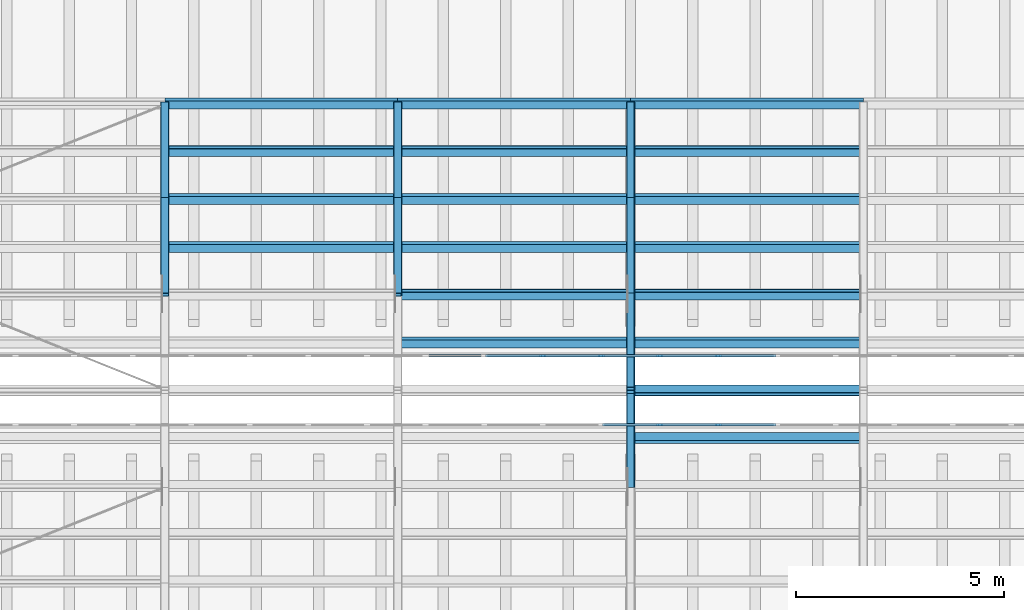
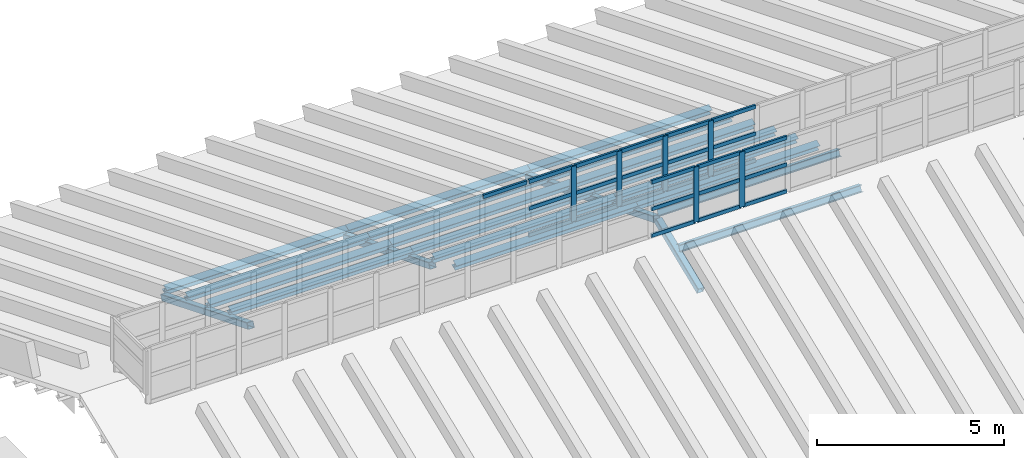
# One storey, part 31 of 105: 57 members, 2 elements without a shape of their own.
"""IFC4 building model written with IfcOpenShell, lengths in metres."""

from ifc_helpers import new_model, si_unit, direction, frame, origin, origin_2d, place, context, subcontext, project, spatial, rectangle, hollow_rectangle, i_section, extrude, material, layer, layer_set, material_profile, profile_set, type_object, element, aggregate, save


model = new_model("IFC4")

# Units and contexts
model_context = context("Model", 3, precision=1e-05, world=origin(), true_north=direction((0.0, 1.0)))
body_context = subcontext(model_context, "Body", "Model", "MODEL_VIEW")
ifc_project = project(units=[si_unit("LENGTHUNIT", "METRE"), si_unit("AREAUNIT", "SQUARE_METRE"), si_unit("VOLUMEUNIT", "CUBIC_METRE"), si_unit("PLANEANGLEUNIT", "RADIAN"), si_unit("MASSUNIT", "GRAM", prefix="KILO")], contexts=[model_context])

# Site, building, storey
site_placement = place(None, origin())
site = spatial("IfcSite", under=ifc_project, at=site_placement, CompositionType="ELEMENT")
building_placement = place(site_placement, origin())
building = spatial("IfcBuilding", under=site, at=building_placement, Name="Wasatch Bagh Community Centre", CompositionType="ELEMENT")
storey_placement = place(building_placement, frame((0.0, 0.0, 16.800048828125)))
storey = spatial("IfcBuildingStorey", under=building, at=storey_placement, Name="L04", CompositionType="ELEMENT", Elevation=16.800048828125)

# Members
ifc_material_1 = material(Name="ASTM A500 Grade C steel", Category="steel")
ifc_material_profile_1 = material_profile(ifc_material_1, hollow_rectangle(XDim=0.203125, YDim=0.203125, WallThickness=0.01171875, InnerFilletRadius=0.01171875, OuterFilletRadius=0.023681640625, at=origin_2d()), Name="HSS8x8x1/2")
ifc_profile_set_1 = profile_set([ifc_material_profile_1], Name="ASTM A500 Grade C steel")
member_type_1 = type_object("IfcMemberType", Name="SH HSS8x8x1/2 chord", PredefinedType="CHORD", material=ifc_profile_set_1)
member_1_placement = place(storey_placement, frame((117.800048828125, 54.300537109375, 1.946533203125), z_axis=(0.0, 0.927174106992, -0.374630718605), x_axis=(-1.0, 0.0, 0.0)))
element("IfcMember", 1, at=member_1_placement, inside=storey, type_object=member_type_1, Name="SH.SA2.TC09", PredefinedType="CHORD", context=body_context, shape_type="SweptSolid", body=[
    extrude(hollow_rectangle(XDim=0.203125, YDim=0.203125, WallThickness=0.01171875, InnerFilletRadius=0.01171875, OuterFilletRadius=0.023681640625, at=origin_2d()), origin(), (0.0, 0.0, 1.0), 2.479736328125),
])
member_2_placement = place(storey_placement, frame((117.800048828125, 56.600341796875, 1.017333984375), z_axis=(0.0, 0.927187923428, -0.374596522472), x_axis=(-1.0, 0.0, 0.0)))
element("IfcMember", 2, at=member_2_placement, inside=storey, type_object=member_type_1, Name="SH.SA2.TC10", PredefinedType="CHORD", context=body_context, shape_type="SweptSolid", body=[
    extrude(hollow_rectangle(XDim=0.203125, YDim=0.203125, WallThickness=0.01171875, InnerFilletRadius=0.01171875, OuterFilletRadius=0.023681640625, at=origin_2d()), origin(), (0.0, 0.0, 1.0), 2.47998046875),
])
member_3_placement = place(storey_placement, frame((123.39990234375, 54.300537109375, 1.946533203125), z_axis=(0.0, 0.927174106992, -0.374630718605), x_axis=(-1.0, 0.0, 0.0)))
element("IfcMember", 3, at=member_3_placement, inside=storey, type_object=member_type_1, Name="SH.SA3.TC09", PredefinedType="CHORD", context=body_context, shape_type="SweptSolid", body=[
    extrude(hollow_rectangle(XDim=0.203125, YDim=0.203125, WallThickness=0.01171875, InnerFilletRadius=0.01171875, OuterFilletRadius=0.023681640625, at=origin_2d()), origin(), (0.0, 0.0, 1.0), 2.479736328125),
])
member_4_placement = place(storey_placement, frame((123.39990234375, 56.600341796875, 1.017333984375), z_axis=(0.0, 0.927187923428, -0.374596522472), x_axis=(-1.0, 0.0, 0.0)))
element("IfcMember", 4, at=member_4_placement, inside=storey, type_object=member_type_1, Name="SH.SA3.TC10", PredefinedType="CHORD", context=body_context, shape_type="SweptSolid", body=[
    extrude(hollow_rectangle(XDim=0.203125, YDim=0.203125, WallThickness=0.01171875, InnerFilletRadius=0.01171875, OuterFilletRadius=0.023681640625, at=origin_2d()), origin(), (0.0, 0.0, 1.0), 2.47998046875),
])
for number, where, z_axis, x_axis, name in (
    (5, (129.0, 49.70068359375, 1.947021484375), (0.0, 0.926063881505, 0.377366780961), (-1.0, 0.0, 0.0), "SH.SA4.TC07"),
    (6, (129.0, 52.038818359375, 2.8681640625), (0.0, 0.926063881505, -0.377366780961), (-1.0, 0.0, 0.0), "SH.SA4.TC08"),
):
    element("IfcMember", number, at=place(storey_placement, frame(where, z_axis=z_axis, x_axis=x_axis)), inside=storey, type_object=member_type_1, Name=name, PredefinedType="CHORD", context=body_context, shape_type="SweptSolid", body=[
        extrude(hollow_rectangle(XDim=0.203125, YDim=0.203125, WallThickness=0.01171875, InnerFilletRadius=0.01171875, OuterFilletRadius=0.023681640625, at=origin_2d()), origin(), (0.0, 0.0, 1.0), 2.44091796875),
    ])
member_5_placement = place(storey_placement, frame((129.0, 54.300537109375, 1.946533203125), z_axis=(0.0, 0.927174106992, -0.374630718605), x_axis=(-1.0, 0.0, 0.0)))
element("IfcMember", 7, at=member_5_placement, inside=storey, type_object=member_type_1, Name="SH.SA4.TC09", PredefinedType="CHORD", context=body_context, shape_type="SweptSolid", body=[
    extrude(hollow_rectangle(XDim=0.203125, YDim=0.203125, WallThickness=0.01171875, InnerFilletRadius=0.01171875, OuterFilletRadius=0.023681640625, at=origin_2d()), origin(), (0.0, 0.0, 1.0), 2.479736328125),
])
member_6_placement = place(storey_placement, frame((129.0, 56.600341796875, 1.017333984375), z_axis=(0.0, 0.927187923428, -0.374596522472), x_axis=(-1.0, 0.0, 0.0)))
element("IfcMember", 8, at=member_6_placement, inside=storey, type_object=member_type_1, Name="SH.SA4.TC10", PredefinedType="CHORD", context=body_context, shape_type="SweptSolid", body=[
    extrude(hollow_rectangle(XDim=0.203125, YDim=0.203125, WallThickness=0.01171875, InnerFilletRadius=0.01171875, OuterFilletRadius=0.023681640625, at=origin_2d()), origin(), (0.0, 0.0, 1.0), 2.47998046875),
])
ifc_material_2 = material(Name="ASTM A992 Grade 50 steel", Category="steel")
ifc_material_profile_2 = material_profile(ifc_material_2, i_section(OverallWidth=0.203125, OverallDepth=0.203125, WebThickness=0.00732421875, FlangeThickness=0.010986328125, at=origin_2d()), Name="W8x31")
ifc_profile_set_2 = profile_set([ifc_material_profile_2], Name="ASTM A992 Grade 50 steel")
member_type_2 = type_object("IfcMemberType", Name="SH W8x31 purlin", PredefinedType="PURLIN", material=ifc_profile_set_2)
for number, where, z_axis, x_axis, name in (
    (9, (117.800048828125, 55.449951171875, 1.701171875), (1.0, 0.0, 0.0), (0.0, 0.927183854567, 0.374606593416), "SH.PUR.b2.PU19"),
    (10, (117.800048828125, 56.60009765625, 1.236572265625), (1.0, 0.0, 0.0), (0.0, 0.927183854567, 0.374606593416), "SH.PUR.b2.PU20"),
    (11, (117.800048828125, 57.75, 0.77197265625), (1.0, 0.0, 0.0), (0.0, 0.927183854567, 0.374606593416), "SH.PUR.b2.PU21"),
    (12, (117.800048828125, 58.89990234375, 0.307373046875), (1.0, 0.0, 0.0), (0.0, 0.927183854567, 0.374606593416), "SH.PUR.b2.PU22"),
):
    element("IfcMember", number, at=place(storey_placement, frame(where, z_axis=z_axis, x_axis=x_axis)), inside=storey, type_object=member_type_2, Name=name, PredefinedType="PURLIN", context=body_context, shape_type="SweptSolid", body=[
        extrude(i_section(OverallWidth=0.203125, OverallDepth=0.203125, WebThickness=0.00732421875, FlangeThickness=0.010986328125, at=origin_2d()), origin(), (0.0, 0.0, 1.0), 5.599853515625),
    ])
for number, where, z_axis, x_axis, name in (
    (13, (123.39990234375, 53.14990234375, 2.63037109375), (1.0, 0.0, 0.0), (0.0, 0.927183854567, 0.374606593416), "SH.PUR.b3.PU17"),
    (14, (123.39990234375, 54.300048828125, 2.165771484375), (1.0, 0.0, 0.0), (0.0, 0.927183854567, 0.374606593416), "SH.PUR.b3.PU18"),
    (15, (123.39990234375, 55.449951171875, 1.701171875), (1.0, 0.0, 0.0), (0.0, 0.927183854567, 0.374606593416), "SH.PUR.b3.PU19"),
    (16, (123.39990234375, 56.60009765625, 1.236572265625), (1.0, 0.0, 0.0), (0.0, 0.927183854567, 0.374606593416), "SH.PUR.b3.PU20"),
    (17, (123.39990234375, 57.75, 0.77197265625), (1.0, 0.0, 0.0), (0.0, 0.927183854567, 0.374606593416), "SH.PUR.b3.PU21"),
    (18, (123.39990234375, 58.89990234375, 0.307373046875), (1.0, 0.0, 0.0), (0.0, 0.927183854567, 0.374606593416), "SH.PUR.b3.PU22"),
    (19, (129.0, 50.85009765625, 2.63037109375), (1.0, 0.0, 0.0), (0.0, 0.927183854567, -0.374606593416), "SH.PUR.b4.PU15"),
    (20, (129.0, 52.0, 3.094970703125), (1.0, 0.0, 0.0), (0.0, 0.927183854567, -0.374606593416), "SH.PUR.b4.PU16"),
    (21, (129.0, 53.14990234375, 2.63037109375), (1.0, 0.0, 0.0), (0.0, 0.927183854567, 0.374606593416), "SH.PUR.b4.PU17"),
    (22, (129.0, 54.300048828125, 2.165771484375), (1.0, 0.0, 0.0), (0.0, 0.927183854567, 0.374606593416), "SH.PUR.b4.PU18"),
    (23, (129.0, 55.449951171875, 1.701171875), (1.0, 0.0, 0.0), (0.0, 0.927183854567, 0.374606593416), "SH.PUR.b4.PU19"),
    (24, (129.0, 56.60009765625, 1.236572265625), (1.0, 0.0, 0.0), (0.0, 0.927183854567, 0.374606593416), "SH.PUR.b4.PU20"),
    (25, (129.0, 57.75, 0.77197265625), (1.0, 0.0, 0.0), (0.0, 0.927183854567, 0.374606593416), "SH.PUR.b4.PU21"),
    (26, (129.0, 58.89990234375, 0.307373046875), (1.0, 0.0, 0.0), (0.0, 0.927183854567, 0.374606593416), "SH.PUR.b4.PU22"),
):
    element("IfcMember", number, at=place(storey_placement, frame(where, z_axis=z_axis, x_axis=x_axis)), inside=storey, type_object=member_type_2, Name=name, PredefinedType="PURLIN", context=body_context, shape_type="SweptSolid", body=[
        extrude(i_section(OverallWidth=0.203125, OverallDepth=0.203125, WebThickness=0.00732421875, FlangeThickness=0.010986328125, at=origin_2d()), origin(), (0.0, 0.0, 1.0), 5.60009765625),
    ])

# Curtain wall, members
ifc_material_3 = material(Name="Aluminium alloy 6063-T6", Category="aluminium")
ifc_layer = layer(ifc_material_3, 0.10009765625)
ifc_layer_set = layer_set([ifc_layer], Name="Aluminium alloy 6063-T6")
curtain_wall_type = type_object("IfcCurtainWallType", Name="SH-CW3", PredefinedType="NOTDEFINED", material=ifc_layer_set)
curtain_wall_1_placement = place(storey_placement, origin())
curtain_wall_1 = element("IfcCurtainWall", 27, at=curtain_wall_1_placement, inside=storey, type_object=curtain_wall_type, Name="Curtain wall SH-CW3", PredefinedType="NOTDEFINED")
ifc_material_profile_3 = material_profile(ifc_material_3, rectangle(XDim=0.06005859375, YDim=0.159912109375, at=origin_2d()), Name="AL 60x160")
ifc_profile_set_3 = profile_set([ifc_material_profile_3], Name="Aluminium alloy 6063-T6")
member_type_3 = type_object("IfcMemberType", Name="SH-CW3 mullion", PredefinedType="MULLION", material=ifc_profile_set_3)
member_7_placement = place(storey_placement, frame((129.704345703125, 51.169921875, 3.052734375), z_axis=(0.0, 0.0, 1.0), x_axis=(0.0, 1.0, 0.0)))
member_7 = element("IfcMember", 28, at=member_7_placement, type_object=member_type_3, Name="SH-CW3 mullion 13", PredefinedType="MULLION", context=body_context, shape_type="SweptSolid", body=[
    extrude(rectangle(XDim=0.06005859375, YDim=0.159912109375, at=origin_2d()), origin(), (0.0, 0.0, 1.0), 1.800048828125),
])
member_8_placement = place(storey_placement, frame((131.113037109375, 51.169921875, 3.052734375), z_axis=(0.0, 0.0, 1.0), x_axis=(0.0, 1.0, 0.0)))
member_8 = element("IfcMember", 29, at=member_8_placement, type_object=member_type_3, Name="SH-CW3 mullion 14", PredefinedType="MULLION", context=body_context, shape_type="SweptSolid", body=[
    extrude(rectangle(XDim=0.06005859375, YDim=0.159912109375, at=origin_2d()), origin(), (0.0, 0.0, 1.0), 1.800048828125),
])

curtain_wall_2_placement = place(storey_placement, origin())
curtain_wall_2 = element("IfcCurtainWall", 30, at=curtain_wall_2_placement, inside=storey, type_object=curtain_wall_type, Name="Curtain wall SH-CW3", PredefinedType="NOTDEFINED")
member_9_placement = place(storey_placement, frame((126.886962890625, 52.830078125, 3.052734375), z_axis=(0.0, 0.0, 1.0), x_axis=(0.0, 1.0, 0.0)))
member_9 = element("IfcMember", 31, at=member_9_placement, type_object=member_type_3, Name="SH-CW3 mullion 11", PredefinedType="MULLION", context=body_context, shape_type="SweptSolid", body=[
    extrude(rectangle(XDim=0.06005859375, YDim=0.159912109375, at=origin_2d()), origin(), (0.0, 0.0, 1.0), 1.800048828125),
])
member_10_placement = place(storey_placement, frame((128.295654296875, 52.830078125, 3.052734375), z_axis=(0.0, 0.0, 1.0), x_axis=(0.0, 1.0, 0.0)))
member_10 = element("IfcMember", 32, at=member_10_placement, type_object=member_type_3, Name="SH-CW3 mullion 12", PredefinedType="MULLION", context=body_context, shape_type="SweptSolid", body=[
    extrude(rectangle(XDim=0.06005859375, YDim=0.159912109375, at=origin_2d()), origin(), (0.0, 0.0, 1.0), 1.800048828125),
])
member_11_placement = place(storey_placement, frame((129.704345703125, 52.830078125, 3.052734375), z_axis=(0.0, 0.0, 1.0), x_axis=(0.0, 1.0, 0.0)))
member_11 = element("IfcMember", 33, at=member_11_placement, type_object=member_type_3, Name="SH-CW3 mullion 13", PredefinedType="MULLION", context=body_context, shape_type="SweptSolid", body=[
    extrude(rectangle(XDim=0.06005859375, YDim=0.159912109375, at=origin_2d()), origin(), (0.0, 0.0, 1.0), 1.800048828125),
])
member_12_placement = place(storey_placement, frame((131.113037109375, 52.830078125, 3.052734375), z_axis=(0.0, 0.0, 1.0), x_axis=(0.0, 1.0, 0.0)))
member_12 = element("IfcMember", 34, at=member_12_placement, type_object=member_type_3, Name="SH-CW3 mullion 14", PredefinedType="MULLION", context=body_context, shape_type="SweptSolid", body=[
    extrude(rectangle(XDim=0.06005859375, YDim=0.159912109375, at=origin_2d()), origin(), (0.0, 0.0, 1.0), 1.800048828125),
])

# Member
ifc_material_profile_4 = material_profile(ifc_material_3, rectangle(XDim=0.06005859375, YDim=0.1201171875, at=origin_2d()), Name="AL 60x120")
ifc_profile_set_4 = profile_set([ifc_material_profile_4], Name="Aluminium alloy 6063-T6")
member_type_4 = type_object("IfcMemberType", Name="SH-CW3 transom", PredefinedType="USERDEFINED", material=ifc_profile_set_4)
member_13_placement = place(storey_placement, frame((128.32568359375, 51.169921875, 3.082763671875), z_axis=(1.0, 0.0, 0.0), x_axis=(0.0, 1.0, 0.0)))
member_13 = element("IfcMember", 35, at=member_13_placement, type_object=member_type_4, Name="SH-CW3 transom 12.1", ObjectType="TRANSOM", PredefinedType="USERDEFINED", context=body_context, shape_type="SweptSolid", body=[
    extrude(rectangle(XDim=0.06005859375, YDim=0.1201171875, at=origin_2d()), origin(), (0.0, 0.0, 1.0), 1.3486328125),
])

member_14_placement = place(storey_placement, frame((128.32568359375, 51.169921875, 3.952880859375), z_axis=(1.0, 0.0, 0.0), x_axis=(0.0, 1.0, 0.0)))
member_14 = element("IfcMember", 36, at=member_14_placement, type_object=member_type_4, Name="SH-CW3 transom 12.2", ObjectType="TRANSOM", PredefinedType="USERDEFINED", context=body_context, shape_type="SweptSolid", body=[
    extrude(rectangle(XDim=0.06005859375, YDim=0.1201171875, at=origin_2d()), origin(), (0.0, 0.0, 1.0), 1.3486328125),
])

member_15_placement = place(storey_placement, frame((128.32568359375, 51.169921875, 4.82275390625), z_axis=(1.0, 0.0, 0.0), x_axis=(0.0, 1.0, 0.0)))
member_15 = element("IfcMember", 37, at=member_15_placement, type_object=member_type_4, Name="SH-CW3 transom 12.3", ObjectType="TRANSOM", PredefinedType="USERDEFINED", context=body_context, shape_type="SweptSolid", body=[
    extrude(rectangle(XDim=0.06005859375, YDim=0.1201171875, at=origin_2d()), origin(), (0.0, 0.0, 1.0), 1.3486328125),
])

member_16_placement = place(storey_placement, frame((129.734375, 51.169921875, 3.082763671875), z_axis=(1.0, 0.0, 0.0), x_axis=(0.0, 1.0, 0.0)))
member_16 = element("IfcMember", 38, at=member_16_placement, type_object=member_type_4, Name="SH-CW3 transom 13.1", ObjectType="TRANSOM", PredefinedType="USERDEFINED", context=body_context, shape_type="SweptSolid", body=[
    extrude(rectangle(XDim=0.06005859375, YDim=0.1201171875, at=origin_2d()), origin(), (0.0, 0.0, 1.0), 1.3486328125),
])

member_17_placement = place(storey_placement, frame((129.734375, 51.169921875, 3.952880859375), z_axis=(1.0, 0.0, 0.0), x_axis=(0.0, 1.0, 0.0)))
member_17 = element("IfcMember", 39, at=member_17_placement, type_object=member_type_4, Name="SH-CW3 transom 13.2", ObjectType="TRANSOM", PredefinedType="USERDEFINED", context=body_context, shape_type="SweptSolid", body=[
    extrude(rectangle(XDim=0.06005859375, YDim=0.1201171875, at=origin_2d()), origin(), (0.0, 0.0, 1.0), 1.3486328125),
])

member_18_placement = place(storey_placement, frame((129.734375, 51.169921875, 4.82275390625), z_axis=(1.0, 0.0, 0.0), x_axis=(0.0, 1.0, 0.0)))
member_18 = element("IfcMember", 40, at=member_18_placement, type_object=member_type_4, Name="SH-CW3 transom 13.3", ObjectType="TRANSOM", PredefinedType="USERDEFINED", context=body_context, shape_type="SweptSolid", body=[
    extrude(rectangle(XDim=0.06005859375, YDim=0.1201171875, at=origin_2d()), origin(), (0.0, 0.0, 1.0), 1.3486328125),
])

member_19_placement = place(storey_placement, frame((131.14306640625, 51.169921875, 3.082763671875), z_axis=(1.0, 0.0, 0.0), x_axis=(0.0, 1.0, 0.0)))
member_19 = element("IfcMember", 41, at=member_19_placement, type_object=member_type_4, Name="SH-CW3 transom 14.1", ObjectType="TRANSOM", PredefinedType="USERDEFINED", context=body_context, shape_type="SweptSolid", body=[
    extrude(rectangle(XDim=0.06005859375, YDim=0.1201171875, at=origin_2d()), origin(), (0.0, 0.0, 1.0), 1.3486328125),
])

member_20_placement = place(storey_placement, frame((131.14306640625, 51.169921875, 3.952880859375), z_axis=(1.0, 0.0, 0.0), x_axis=(0.0, 1.0, 0.0)))
member_20 = element("IfcMember", 42, at=member_20_placement, type_object=member_type_4, Name="SH-CW3 transom 14.2", ObjectType="TRANSOM", PredefinedType="USERDEFINED", context=body_context, shape_type="SweptSolid", body=[
    extrude(rectangle(XDim=0.06005859375, YDim=0.1201171875, at=origin_2d()), origin(), (0.0, 0.0, 1.0), 1.3486328125),
])

member_21_placement = place(storey_placement, frame((131.14306640625, 51.169921875, 4.82275390625), z_axis=(1.0, 0.0, 0.0), x_axis=(0.0, 1.0, 0.0)))
member_21 = element("IfcMember", 43, at=member_21_placement, type_object=member_type_4, Name="SH-CW3 transom 14.3", ObjectType="TRANSOM", PredefinedType="USERDEFINED", context=body_context, shape_type="SweptSolid", body=[
    extrude(rectangle(XDim=0.06005859375, YDim=0.1201171875, at=origin_2d()), origin(), (0.0, 0.0, 1.0), 1.3486328125),
])

aggregate(curtain_wall_1, [member_7, member_8, member_13, member_14, member_15, member_16, member_17, member_18, member_19, member_20, member_21])

member_22_placement = place(storey_placement, frame((124.099609375, 52.830078125, 4.82275390625), z_axis=(1.0, 0.0, 0.0), x_axis=(0.0, 1.0, 0.0)))
member_22 = element("IfcMember", 44, at=member_22_placement, type_object=member_type_4, Name="SH-CW3 transom 9.3", ObjectType="TRANSOM", PredefinedType="USERDEFINED", context=body_context, shape_type="SweptSolid", body=[
    extrude(rectangle(XDim=0.06005859375, YDim=0.1201171875, at=origin_2d()), origin(), (0.0, 0.0, 1.0), 1.3486328125),
])

member_23_placement = place(storey_placement, frame((125.50830078125, 52.830078125, 3.082763671875), z_axis=(1.0, 0.0, 0.0), x_axis=(0.0, 1.0, 0.0)))
member_23 = element("IfcMember", 45, at=member_23_placement, type_object=member_type_4, Name="SH-CW3 transom 10.1", ObjectType="TRANSOM", PredefinedType="USERDEFINED", context=body_context, shape_type="SweptSolid", body=[
    extrude(rectangle(XDim=0.06005859375, YDim=0.1201171875, at=origin_2d()), origin(), (0.0, 0.0, 1.0), 1.3486328125),
])

member_24_placement = place(storey_placement, frame((125.50830078125, 52.830078125, 3.952880859375), z_axis=(1.0, 0.0, 0.0), x_axis=(0.0, 1.0, 0.0)))
member_24 = element("IfcMember", 46, at=member_24_placement, type_object=member_type_4, Name="SH-CW3 transom 10.2", ObjectType="TRANSOM", PredefinedType="USERDEFINED", context=body_context, shape_type="SweptSolid", body=[
    extrude(rectangle(XDim=0.06005859375, YDim=0.1201171875, at=origin_2d()), origin(), (0.0, 0.0, 1.0), 1.3486328125),
])

member_25_placement = place(storey_placement, frame((125.50830078125, 52.830078125, 4.82275390625), z_axis=(1.0, 0.0, 0.0), x_axis=(0.0, 1.0, 0.0)))
member_25 = element("IfcMember", 47, at=member_25_placement, type_object=member_type_4, Name="SH-CW3 transom 10.3", ObjectType="TRANSOM", PredefinedType="USERDEFINED", context=body_context, shape_type="SweptSolid", body=[
    extrude(rectangle(XDim=0.06005859375, YDim=0.1201171875, at=origin_2d()), origin(), (0.0, 0.0, 1.0), 1.3486328125),
])

member_26_placement = place(storey_placement, frame((126.9169921875, 52.830078125, 3.082763671875), z_axis=(1.0, 0.0, 0.0), x_axis=(0.0, 1.0, 0.0)))
member_26 = element("IfcMember", 48, at=member_26_placement, type_object=member_type_4, Name="SH-CW3 transom 11.1", ObjectType="TRANSOM", PredefinedType="USERDEFINED", context=body_context, shape_type="SweptSolid", body=[
    extrude(rectangle(XDim=0.06005859375, YDim=0.1201171875, at=origin_2d()), origin(), (0.0, 0.0, 1.0), 1.3486328125),
])

member_27_placement = place(storey_placement, frame((126.9169921875, 52.830078125, 3.952880859375), z_axis=(1.0, 0.0, 0.0), x_axis=(0.0, 1.0, 0.0)))
member_27 = element("IfcMember", 49, at=member_27_placement, type_object=member_type_4, Name="SH-CW3 transom 11.2", ObjectType="TRANSOM", PredefinedType="USERDEFINED", context=body_context, shape_type="SweptSolid", body=[
    extrude(rectangle(XDim=0.06005859375, YDim=0.1201171875, at=origin_2d()), origin(), (0.0, 0.0, 1.0), 1.3486328125),
])

member_28_placement = place(storey_placement, frame((126.9169921875, 52.830078125, 4.82275390625), z_axis=(1.0, 0.0, 0.0), x_axis=(0.0, 1.0, 0.0)))
member_28 = element("IfcMember", 50, at=member_28_placement, type_object=member_type_4, Name="SH-CW3 transom 11.3", ObjectType="TRANSOM", PredefinedType="USERDEFINED", context=body_context, shape_type="SweptSolid", body=[
    extrude(rectangle(XDim=0.06005859375, YDim=0.1201171875, at=origin_2d()), origin(), (0.0, 0.0, 1.0), 1.3486328125),
])

member_29_placement = place(storey_placement, frame((128.32568359375, 52.830078125, 3.082763671875), z_axis=(1.0, 0.0, 0.0), x_axis=(0.0, 1.0, 0.0)))
member_29 = element("IfcMember", 51, at=member_29_placement, type_object=member_type_4, Name="SH-CW3 transom 12.1", ObjectType="TRANSOM", PredefinedType="USERDEFINED", context=body_context, shape_type="SweptSolid", body=[
    extrude(rectangle(XDim=0.06005859375, YDim=0.1201171875, at=origin_2d()), origin(), (0.0, 0.0, 1.0), 1.3486328125),
])

member_30_placement = place(storey_placement, frame((128.32568359375, 52.830078125, 3.952880859375), z_axis=(1.0, 0.0, 0.0), x_axis=(0.0, 1.0, 0.0)))
member_30 = element("IfcMember", 52, at=member_30_placement, type_object=member_type_4, Name="SH-CW3 transom 12.2", ObjectType="TRANSOM", PredefinedType="USERDEFINED", context=body_context, shape_type="SweptSolid", body=[
    extrude(rectangle(XDim=0.06005859375, YDim=0.1201171875, at=origin_2d()), origin(), (0.0, 0.0, 1.0), 1.3486328125),
])

member_31_placement = place(storey_placement, frame((128.32568359375, 52.830078125, 4.82275390625), z_axis=(1.0, 0.0, 0.0), x_axis=(0.0, 1.0, 0.0)))
member_31 = element("IfcMember", 53, at=member_31_placement, type_object=member_type_4, Name="SH-CW3 transom 12.3", ObjectType="TRANSOM", PredefinedType="USERDEFINED", context=body_context, shape_type="SweptSolid", body=[
    extrude(rectangle(XDim=0.06005859375, YDim=0.1201171875, at=origin_2d()), origin(), (0.0, 0.0, 1.0), 1.3486328125),
])

member_32_placement = place(storey_placement, frame((129.734375, 52.830078125, 3.082763671875), z_axis=(1.0, 0.0, 0.0), x_axis=(0.0, 1.0, 0.0)))
member_32 = element("IfcMember", 54, at=member_32_placement, type_object=member_type_4, Name="SH-CW3 transom 13.1", ObjectType="TRANSOM", PredefinedType="USERDEFINED", context=body_context, shape_type="SweptSolid", body=[
    extrude(rectangle(XDim=0.06005859375, YDim=0.1201171875, at=origin_2d()), origin(), (0.0, 0.0, 1.0), 1.3486328125),
])

member_33_placement = place(storey_placement, frame((129.734375, 52.830078125, 3.952880859375), z_axis=(1.0, 0.0, 0.0), x_axis=(0.0, 1.0, 0.0)))
member_33 = element("IfcMember", 55, at=member_33_placement, type_object=member_type_4, Name="SH-CW3 transom 13.2", ObjectType="TRANSOM", PredefinedType="USERDEFINED", context=body_context, shape_type="SweptSolid", body=[
    extrude(rectangle(XDim=0.06005859375, YDim=0.1201171875, at=origin_2d()), origin(), (0.0, 0.0, 1.0), 1.3486328125),
])

member_34_placement = place(storey_placement, frame((129.734375, 52.830078125, 4.82275390625), z_axis=(1.0, 0.0, 0.0), x_axis=(0.0, 1.0, 0.0)))
member_34 = element("IfcMember", 56, at=member_34_placement, type_object=member_type_4, Name="SH-CW3 transom 13.3", ObjectType="TRANSOM", PredefinedType="USERDEFINED", context=body_context, shape_type="SweptSolid", body=[
    extrude(rectangle(XDim=0.06005859375, YDim=0.1201171875, at=origin_2d()), origin(), (0.0, 0.0, 1.0), 1.3486328125),
])

member_35_placement = place(storey_placement, frame((131.14306640625, 52.830078125, 3.082763671875), z_axis=(1.0, 0.0, 0.0), x_axis=(0.0, 1.0, 0.0)))
member_35 = element("IfcMember", 57, at=member_35_placement, type_object=member_type_4, Name="SH-CW3 transom 14.1", ObjectType="TRANSOM", PredefinedType="USERDEFINED", context=body_context, shape_type="SweptSolid", body=[
    extrude(rectangle(XDim=0.06005859375, YDim=0.1201171875, at=origin_2d()), origin(), (0.0, 0.0, 1.0), 1.3486328125),
])

member_36_placement = place(storey_placement, frame((131.14306640625, 52.830078125, 3.952880859375), z_axis=(1.0, 0.0, 0.0), x_axis=(0.0, 1.0, 0.0)))
member_36 = element("IfcMember", 58, at=member_36_placement, type_object=member_type_4, Name="SH-CW3 transom 14.2", ObjectType="TRANSOM", PredefinedType="USERDEFINED", context=body_context, shape_type="SweptSolid", body=[
    extrude(rectangle(XDim=0.06005859375, YDim=0.1201171875, at=origin_2d()), origin(), (0.0, 0.0, 1.0), 1.3486328125),
])

member_37_placement = place(storey_placement, frame((131.14306640625, 52.830078125, 4.82275390625), z_axis=(1.0, 0.0, 0.0), x_axis=(0.0, 1.0, 0.0)))
member_37 = element("IfcMember", 59, at=member_37_placement, type_object=member_type_4, Name="SH-CW3 transom 14.3", ObjectType="TRANSOM", PredefinedType="USERDEFINED", context=body_context, shape_type="SweptSolid", body=[
    extrude(rectangle(XDim=0.06005859375, YDim=0.1201171875, at=origin_2d()), origin(), (0.0, 0.0, 1.0), 1.3486328125),
])

aggregate(curtain_wall_2, [member_9, member_10, member_11, member_12, member_22, member_23, member_24, member_25, member_26, member_27, member_28, member_29, member_30, member_31, member_32, member_33, member_34, member_35, member_36, member_37])

save(model, "model.ifc")
